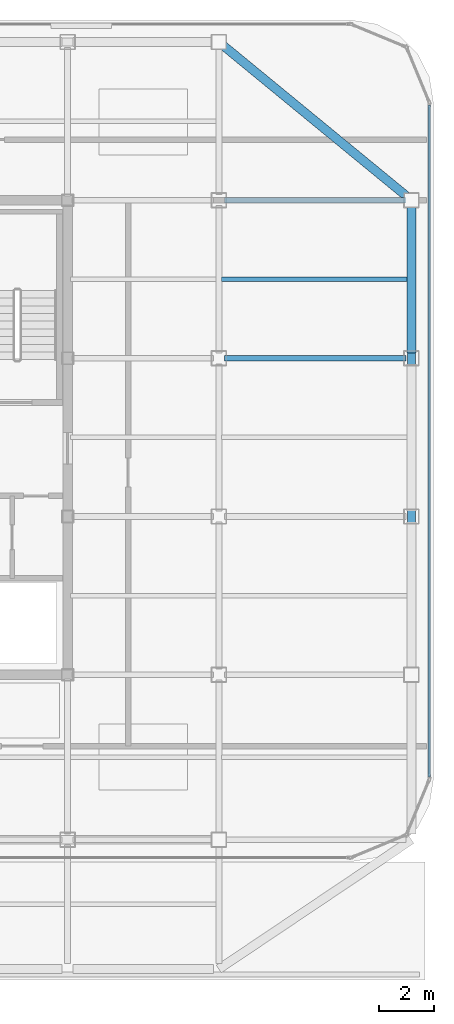
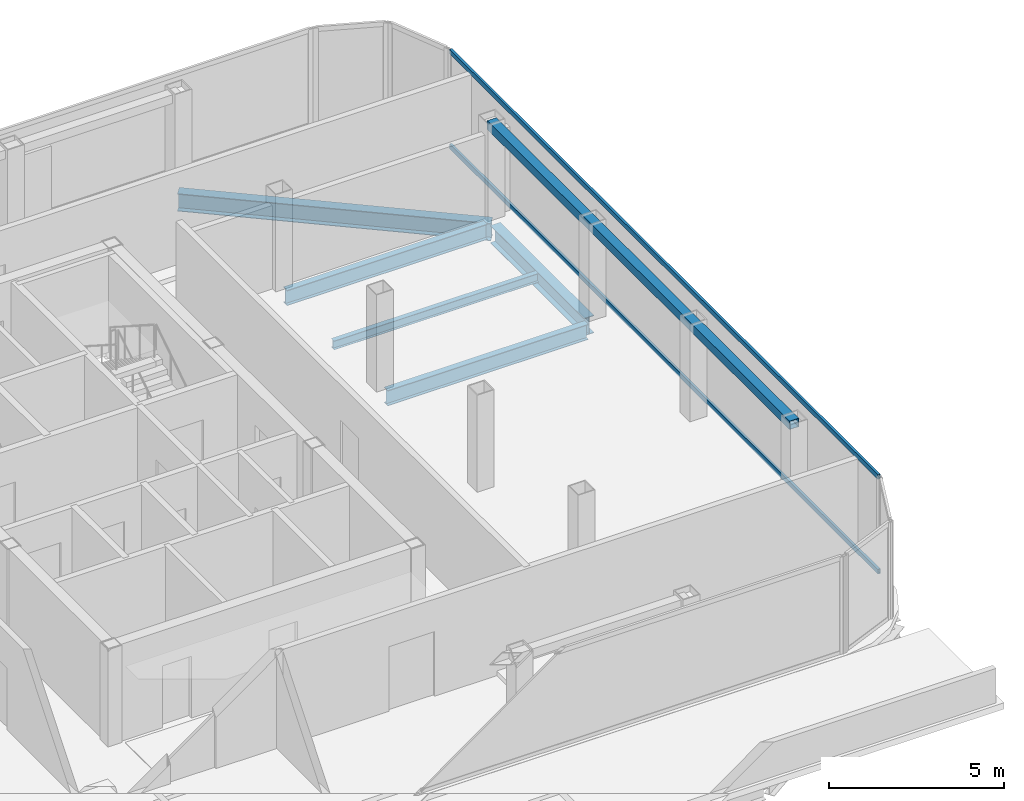
# One storey, part 7 of 15: 5 beams, 3 members, 1 element without a shape of its own.
"""IFC4 building model written with IfcOpenShell, lengths in metres."""

from ifc_helpers import new_model, si_unit, direction, frame, origin, origin_2d, place, context, subcontext, project, spatial, hollow_rectangle, i_section, extrude, source, transform, mapped, material, layer, layer_set, material_profile, profile_set, type_object, element, aggregate, save


model = new_model("IFC4")

# Units and contexts
model_context = context("Model", 3, precision=1e-05, world=origin(), true_north=direction((0.0, 1.0)))
body_context = subcontext(model_context, "Body", "Model", "MODEL_VIEW")
ifc_project = project(units=[si_unit("LENGTHUNIT", "METRE"), si_unit("AREAUNIT", "SQUARE_METRE"), si_unit("VOLUMEUNIT", "CUBIC_METRE"), si_unit("PLANEANGLEUNIT", "RADIAN"), si_unit("MASSUNIT", "GRAM", prefix="KILO")], contexts=[model_context])

# Site, building, storey
site_placement = place(None, origin())
site = spatial("IfcSite", under=ifc_project, at=site_placement, CompositionType="ELEMENT")
building_placement = place(site_placement, origin())
building = spatial("IfcBuilding", under=site, at=building_placement, Name="Kolveth Station Tower", CompositionType="ELEMENT")
storey_placement = place(building_placement, frame((0.0, 0.0, 271.300048828125)))
storey = spatial("IfcBuildingStorey", under=building, at=storey_placement, Name="L78", CompositionType="ELEMENT", Elevation=271.300048828125)

# Beams
ifc_material_1 = material(Name="Steel S355", Category="steel")
ifc_material_profile_1 = material_profile(ifc_material_1, i_section(OverallWidth=0.323974609375, OverallDepth=0.611083984375, WebThickness=0.0126953125, FlangeThickness=0.01904296875, at=origin_2d()), Name="W610x155")
ifc_profile_set_1 = profile_set([ifc_material_profile_1], Name="Steel S355")
beam_type_1 = type_object("IfcBeamType", Name="Beam_SP2", PredefinedType="SPANDREL", material=ifc_profile_set_1)
shared_shape_1 = source(origin(), body_context, "Body", "SweptSolid", [
    extrude(i_section(OverallWidth=0.323974609375, OverallDepth=0.611083984375, WebThickness=0.0126953125, FlangeThickness=0.01904296875, at=origin_2d()), origin(), (0.0, 0.0, 1.0), 9.058837890625),
])
beam_1_placement = place(storey_placement, frame((41.0, 28.75, -0.525634765625), z_axis=(-0.772726254525, 0.63473942336, 0.0), x_axis=(-0.63473942336, -0.772726254525, 0.0)))
element("IfcBeam", 1, at=beam_1_placement, inside=storey, type_object=beam_type_1, Name="L78 Corner Edge Girder BM-L78-CNR-NE", PredefinedType="SPANDREL", context=body_context, shape_type="MappedRepresentation", body=[
    mapped(shared_shape_1, transform((0.0, 0.0, 0.0), x_axis=(1.0, 0.0, 0.0), y_axis=(0.0, 1.0, 0.0), z_axis=(0.0, 0.0, 1.0), scale=1.0)),
])
shared_shape_2 = source(origin(), body_context, "Body", "SweptSolid", [
    extrude(i_section(OverallWidth=0.323974609375, OverallDepth=0.611083984375, WebThickness=0.0126953125, FlangeThickness=0.01904296875, at=origin_2d()), origin(), (0.0, 0.0, 1.0), 5.35009765625),
])
beam_2_placement = place(storey_placement, frame((41.0, 23.199951171875, -0.525634765625), z_axis=(0.0, 1.0, 0.0), x_axis=(-1.0, 0.0, 0.0)))
element("IfcBeam", 2, at=beam_2_placement, inside=storey, type_object=beam_type_1, Name="L78 Perimeter Spandrel BM-L78-PE-4", PredefinedType="SPANDREL", context=body_context, shape_type="MappedRepresentation", body=[
    mapped(shared_shape_2, transform((0.0, 0.0, 0.0), x_axis=(1.0, 0.0, 0.0), y_axis=(0.0, 1.0, 0.0), z_axis=(0.0, 0.0, 1.0), scale=1.0)),
])
ifc_material_profile_2 = material_profile(ifc_material_1, i_section(OverallWidth=0.2099609375, OverallDepth=0.537109375, WebThickness=0.010986328125, FlangeThickness=0.017333984375, at=origin_2d()), Name="W530x101")
ifc_profile_set_2 = profile_set([ifc_material_profile_2], Name="Steel S355")
beam_type_2 = type_object("IfcBeamType", Name="Beam_B6", PredefinedType="BEAM", material=ifc_profile_set_2)
shared_shape_3 = source(origin(), body_context, "Body", "SweptSolid", [
    extrude(i_section(OverallWidth=0.2099609375, OverallDepth=0.537109375, WebThickness=0.010986328125, FlangeThickness=0.017333984375, at=origin_2d()), origin(), (0.0, 0.0, 1.0), 6.60009765625),
])
for number, where, z_axis, x_axis, name in (
    (3, (34.199951171875, 23.0, -0.488525390625), (1.0, 0.0, 0.0), (0.0, 1.0, 0.0), "L78 Primary Girder BM-L78-GY230-5"),
    (4, (34.199951171875, 28.75, -0.488525390625), (1.0, 0.0, 0.0), (0.0, 1.0, 0.0), "L78 Primary Girder BM-L78-GY287-5"),
):
    element("IfcBeam", number, at=place(storey_placement, frame(where, z_axis=z_axis, x_axis=x_axis)), inside=storey, type_object=beam_type_2, Name=name, PredefinedType="BEAM", context=body_context, shape_type="MappedRepresentation", body=[
        mapped(shared_shape_3, transform((0.0, 0.0, 0.0), x_axis=(1.0, 0.0, 0.0), y_axis=(0.0, 1.0, 0.0), z_axis=(0.0, 0.0, 1.0), scale=1.0)),
    ])
ifc_material_profile_3 = material_profile(ifc_material_1, i_section(OverallWidth=0.1650390625, OverallDepth=0.31005859375, WebThickness=0.005859375, FlangeThickness=0.009765625, at=origin_2d()), Name="W310x39")
ifc_profile_set_3 = profile_set([ifc_material_profile_3], Name="Steel S355")
beam_type_3 = type_object("IfcBeamType", Name="Beam_J3", PredefinedType="JOIST", material=ifc_profile_set_3)
shared_shape_4 = source(origin(), body_context, "Body", "SweptSolid", [
    extrude(i_section(OverallWidth=0.1650390625, OverallDepth=0.31005859375, WebThickness=0.005859375, FlangeThickness=0.009765625, at=origin_2d()), origin(), (0.0, 0.0, 1.0), 6.737060546875),
])
beam_3_placement = place(storey_placement, frame((34.10302734375, 25.875, -0.375), z_axis=(1.0, 0.0, 0.0), x_axis=(0.0, 1.0, 0.0)))
element("IfcBeam", 5, at=beam_3_placement, inside=storey, type_object=beam_type_3, Name="L78 Secondary Joist JST-L78-5-5", PredefinedType="JOIST", context=body_context, shape_type="MappedRepresentation", body=[
    mapped(shared_shape_4, transform((0.0, 0.0, 0.0), x_axis=(1.0, 0.0, 0.0), y_axis=(0.0, 1.0, 0.0), z_axis=(0.0, 0.0, 1.0), scale=1.0)),
])

# Member
ifc_material_profile_4 = material_profile(ifc_material_1, hollow_rectangle(XDim=0.300048828125, YDim=0.300048828125, WallThickness=0.01611328125, at=origin_2d()), Name="CROWN-HSS300x300x16")
ifc_profile_set_4 = profile_set([ifc_material_profile_4], Name="Steel S355")
member_type_1 = type_object("IfcMemberType", Name="Mem_CF1", PredefinedType="CHORD", material=ifc_profile_set_4)
shared_shape_5 = source(origin(), body_context, "Body", "SweptSolid", [
    extrude(hollow_rectangle(XDim=0.300048828125, YDim=0.300048828125, WallThickness=0.01611328125, at=origin_2d()), origin(), (0.0, 0.0, 1.0), 17.25),
])
member_1_placement = place(storey_placement, frame((41.0, 11.5, 3.14990234375), z_axis=(0.0, 1.0, 0.0), x_axis=(-1.0, 0.0, 0.0)))
element("IfcMember", 6, at=member_1_placement, inside=storey, type_object=member_type_1, Name="L78 Crown Frame Ring Chord 4", PredefinedType="CHORD", context=body_context, shape_type="MappedRepresentation", body=[
    mapped(shared_shape_5, transform((0.0, 0.0, 0.0), x_axis=(1.0, 0.0, 0.0), y_axis=(0.0, 1.0, 0.0), z_axis=(0.0, 0.0, 1.0), scale=1.0)),
])

# Curtain wall, members
ifc_material_2 = material(Name="Black anodized aluminium 6063-T6 and dark crown glass", Category="aluminium")
ifc_layer = layer(ifc_material_2, 0.169921875)
ifc_layer_set = layer_set([ifc_layer], Name="Black anodized aluminium 6063-T6 and dark crown glass")
curtain_wall_type = type_object("IfcCurtainWallType", Name="CurtainWall_CW-CR", PredefinedType="NOTDEFINED", material=ifc_layer_set)
curtain_wall_placement = place(storey_placement, origin())
curtain_wall = element("IfcCurtainWall", 7, at=curtain_wall_placement, inside=storey, type_object=curtain_wall_type, Name="L78 Stepped Crown Curtain Wall 3", PredefinedType="NOTDEFINED")
ifc_material_3 = material(Name="Black anodized aluminium 6063-T6", Category="aluminium")
ifc_material_profile_5 = material_profile(ifc_material_3, hollow_rectangle(XDim=0.080078125, YDim=0.1650390625, WallThickness=0.0048828125, at=origin_2d()), Name="ALU-80x165x5")
ifc_profile_set_5 = profile_set([ifc_material_profile_5], Name="Black anodized aluminium 6063-T6")
member_type_2 = type_object("IfcMemberType", Name="Transom_TR-CR", PredefinedType="USERDEFINED", material=ifc_profile_set_5)
shared_shape_6 = source(origin(), body_context, "Body", "SweptSolid", [
    extrude(hollow_rectangle(XDim=0.080078125, YDim=0.1650390625, WallThickness=0.0048828125, at=origin_2d()), origin(), (0.0, 0.0, 1.0), 24.43017578125),
])
member_2_placement = place(storey_placement, frame((41.64990234375, 7.784912109375, 0.0400390625), z_axis=(0.0, 1.0, 0.0), x_axis=(-1.0, 0.0, 0.0)))
member_2 = element("IfcMember", 8, at=member_2_placement, type_object=member_type_2, Name="CW-CR transom 1.1", ObjectType="TRANSOM", PredefinedType="USERDEFINED", context=body_context, shape_type="MappedRepresentation", body=[
    mapped(shared_shape_6, transform((0.0, 0.0, 0.0), x_axis=(1.0, 0.0, 0.0), y_axis=(0.0, 1.0, 0.0), z_axis=(0.0, 0.0, 1.0), scale=1.0)),
])
member_3_placement = place(storey_placement, frame((41.64990234375, 7.784912109375, 3.33984375), z_axis=(0.0, 1.0, 0.0), x_axis=(-1.0, 0.0, 0.0)))
member_3 = element("IfcMember", 9, at=member_3_placement, type_object=member_type_2, Name="CW-CR transom 1.2", ObjectType="TRANSOM", PredefinedType="USERDEFINED", context=body_context, shape_type="MappedRepresentation", body=[
    mapped(shared_shape_6, transform((0.0, 0.0, 0.0), x_axis=(1.0, 0.0, 0.0), y_axis=(0.0, 1.0, 0.0), z_axis=(0.0, 0.0, 1.0), scale=1.0)),
])
aggregate(curtain_wall, [member_2, member_3])

save(model, "model.ifc")
